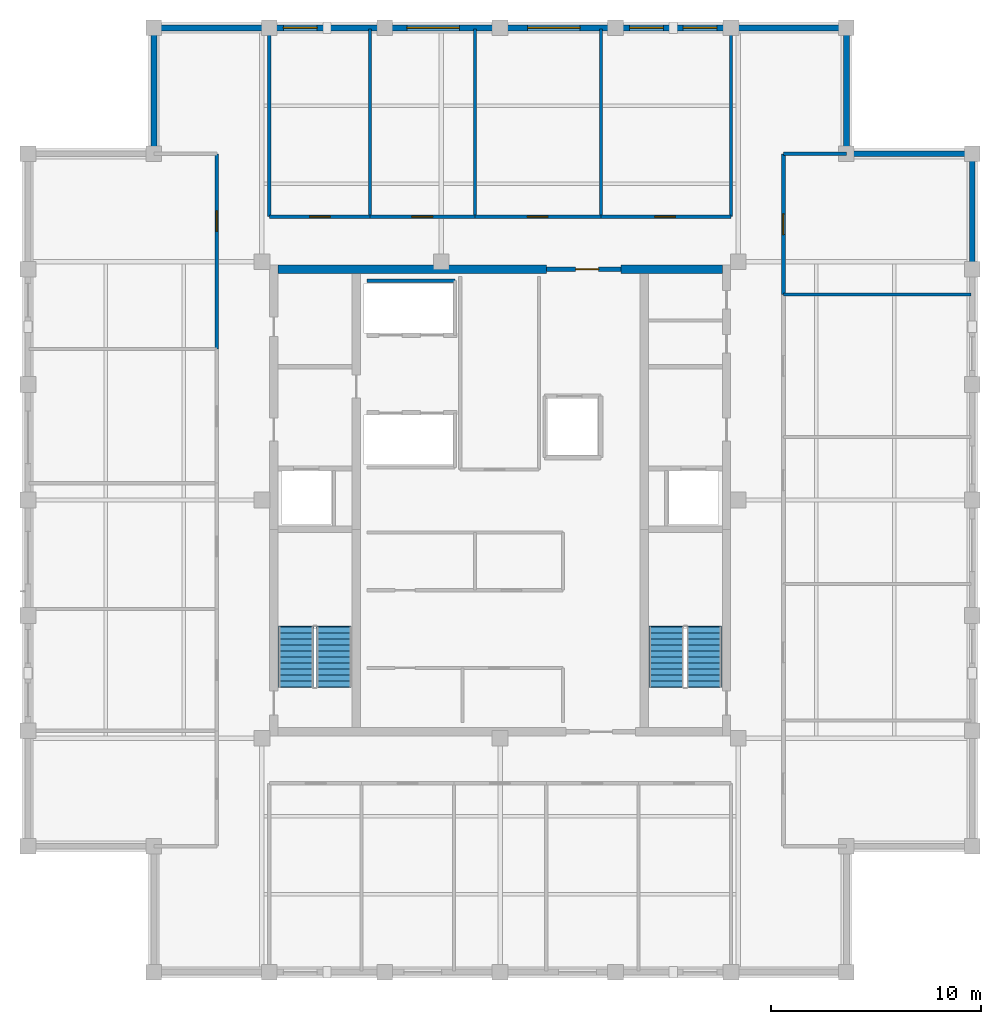
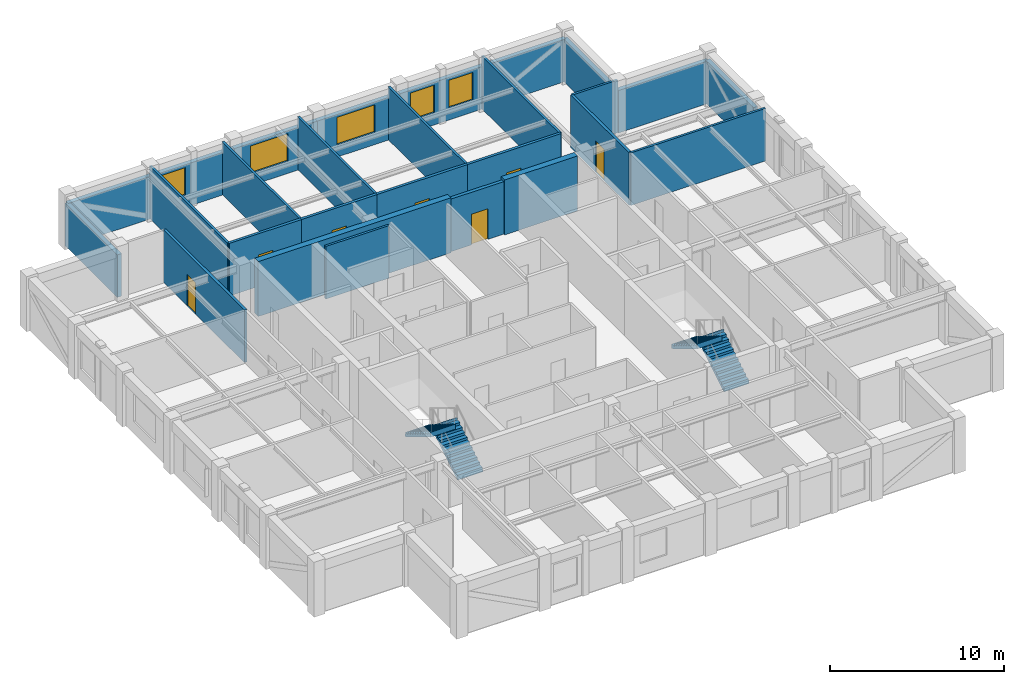
# One storey, part 6 of 7: 27 walls, 7 doors, 5 windows, 4 stair flights, 12 openings, 2 elements without a shape of their own.
"""IFC4 building model written with IfcOpenShell, lengths in metres."""

from ifc_helpers import new_model, si_unit, direction, frame, frame_2d, origin, place, context, subcontext, project, spatial, polyline, rectangle, outline, extrude, material, layer, layer_set, type_object, element, fill, aggregate, save


model = new_model("IFC4")

# Units and contexts
model_context = context("Model", 3, precision=1e-05, world=origin(), true_north=direction((0.0, 1.0)))
body_context = subcontext(model_context, "Body", "Model", "MODEL_VIEW")
ifc_project = project(units=[si_unit("LENGTHUNIT", "METRE"), si_unit("AREAUNIT", "SQUARE_METRE"), si_unit("VOLUMEUNIT", "CUBIC_METRE"), si_unit("PLANEANGLEUNIT", "RADIAN"), si_unit("MASSUNIT", "GRAM", prefix="KILO")], contexts=[model_context])

# Site, building, storey
site_placement = place(None, origin())
site = spatial("IfcSite", under=ifc_project, at=site_placement, CompositionType="ELEMENT")
building_placement = place(site_placement, origin())
building = spatial("IfcBuilding", under=site, at=building_placement, Name="Nhamokura Convention Tower", CompositionType="ELEMENT")
storey_placement = place(building_placement, frame((0.0, 0.0, 285.25)))
storey = spatial("IfcBuildingStorey", under=building, at=storey_placement, Name="L70", CompositionType="ELEMENT", Elevation=285.25)

# Wall
ifc_material_1 = material(Name="Bronze-pigmented precast concrete C45/55", Category="concrete")
ifc_layer_1 = layer(ifc_material_1, 0.280029296875)
ifc_layer_set_1 = layer_set([ifc_layer_1], Name="BronzePrecastSpandrel_280")
wall_type_1 = type_object("IfcWallType", Name="BronzePrecastSpandrel_280", PredefinedType="USERDEFINED", material=ifc_layer_set_1)
wall_1_placement = place(storey_placement, frame((15.5, 54.5, 0.0), z_axis=(0.0, 0.0, 1.0), x_axis=(1.0, 0.0, 0.0)))
element("IfcWall", 1, at=wall_1_placement, inside=storey, type_object=wall_type_1, Name="L70 Braced-Bay Precast Wall NORTH 0", ObjectType="SPANDREL_WALL", PredefinedType="USERDEFINED", context=body_context, shape_type="SweptSolid", body=[
    extrude(rectangle(XDim=5.5, YDim=0.280029296875, at=frame_2d((2.75, 0.0))), origin(), (0.0, 0.0, 1.0), 2.985107421875),
])

# Wall, opening, window
wall_2_placement = place(storey_placement, frame((21.0, 54.5, 0.0), z_axis=(0.0, 0.0, 1.0), x_axis=(1.0, 0.0, 0.0)))
wall_2 = element("IfcWall", 2, at=wall_2_placement, inside=storey, type_object=wall_type_1, Name="L70 Masonry-Frame Wall NORTH 1", ObjectType="SPANDREL_WALL", PredefinedType="USERDEFINED", context=body_context, shape_type="SweptSolid", body=[
    extrude(rectangle(XDim=5.5, YDim=0.280029296875, at=frame_2d((2.75, 0.0))), origin(), (0.0, 0.0, 1.0), 2.985107421875),
])
opening_1_placement = place(wall_2_placement, frame((0.675048828125, 0.0, 0.85009765625)))
opening_1 = element("IfcOpeningElement", 3, at=opening_1_placement, cuts=wall_2, Name="Opening W-11", PredefinedType="OPENING", context=body_context, shape_type="SweptSolid", body=[
    extrude(rectangle(XDim=1.60009765625, YDim=1.93505859375, at=frame_2d((0.800048828125, 0.967529296875))), frame((0.0, 0.14990234375, 0.0), z_axis=(0.0, -1.0, 0.0), x_axis=(1.0, 0.0, 0.0)), (0.0, 0.0, 1.0), 0.300048828125),
])
ifc_material_2 = material(Name="Solar-control bronze low-E double glass", Category="glass")
window_type_1 = type_object("IfcWindowType", Name="NotchCornerWindow_1600", PartitioningType="SINGLE_PANEL", PredefinedType="WINDOW", material=ifc_material_2)
window_1_placement = place(opening_1_placement, origin())
window_1 = element("IfcWindow", 4, at=window_1_placement, inside=storey, type_object=window_type_1, Name="L70 Facade Window NORTH 1-1", OverallHeight=1.93505859375, OverallWidth=1.60009765625, PartitioningType="SINGLE_PANEL", PredefinedType="WINDOW", context=body_context, shape_type="SweptSolid", body=[
    extrude(rectangle(XDim=1.60009765625, YDim=1.93505859375, at=frame_2d((0.800048828125, 0.967529296875))), frame((0.0, 0.030029296875, 0.0), z_axis=(0.0, -1.0, 0.0), x_axis=(1.0, 0.0, 0.0)), (0.0, 0.0, 1.0), 0.06005859375),
])
fill(opening_1, window_1)

wall_3_placement = place(storey_placement, frame((26.5, 54.5, 0.0), z_axis=(0.0, 0.0, 1.0), x_axis=(1.0, 0.0, 0.0)))
wall_3 = element("IfcWall", 5, at=wall_3_placement, inside=storey, type_object=wall_type_1, Name="L70 Masonry-Frame Wall NORTH 2", ObjectType="SPANDREL_WALL", PredefinedType="USERDEFINED", context=body_context, shape_type="SweptSolid", body=[
    extrude(rectangle(XDim=5.5, YDim=0.280029296875, at=frame_2d((2.75, 0.0))), origin(), (0.0, 0.0, 1.0), 2.985107421875),
])
opening_2_placement = place(wall_3_placement, frame((1.0625, 0.0, 0.85009765625)))
opening_2 = element("IfcOpeningElement", 6, at=opening_2_placement, cuts=wall_3, Name="Opening W-09", PredefinedType="OPENING", context=body_context, shape_type="SweptSolid", body=[
    extrude(rectangle(XDim=2.5, YDim=1.93505859375, at=frame_2d((1.25, 0.967529296875))), frame((0.0, 0.14990234375, 0.0), z_axis=(0.0, -1.0, 0.0), x_axis=(1.0, 0.0, 0.0)), (0.0, 0.0, 1.0), 0.300048828125),
])
ifc_material_3 = material(Name="Solar-control bronze low-E double glass", Category="glass")
window_type_2 = type_object("IfcWindowType", Name="SummitWindow_Z4_2500", PartitioningType="DOUBLE_PANEL_VERTICAL", PredefinedType="WINDOW", material=ifc_material_3)
window_2_placement = place(opening_2_placement, origin())
window_2 = element("IfcWindow", 7, at=window_2_placement, inside=storey, type_object=window_type_2, Name="L70 Facade Window NORTH 2-1", OverallHeight=1.93505859375, OverallWidth=2.5, PartitioningType="SINGLE_PANEL", PredefinedType="WINDOW", context=body_context, shape_type="SweptSolid", body=[
    extrude(rectangle(XDim=2.5, YDim=1.93505859375, at=frame_2d((1.25, 0.967529296875))), frame((0.0, 0.030029296875, 0.0), z_axis=(0.0, -1.0, 0.0), x_axis=(1.0, 0.0, 0.0)), (0.0, 0.0, 1.0), 0.06005859375),
])
fill(opening_2, window_2)

wall_4_placement = place(storey_placement, frame((32.0, 54.5, 0.0), z_axis=(0.0, 0.0, 1.0), x_axis=(1.0, 0.0, 0.0)))
wall_4 = element("IfcWall", 8, at=wall_4_placement, inside=storey, type_object=wall_type_1, Name="L70 Masonry-Frame Wall NORTH 3", ObjectType="SPANDREL_WALL", PredefinedType="USERDEFINED", context=body_context, shape_type="SweptSolid", body=[
    extrude(rectangle(XDim=5.5, YDim=0.280029296875, at=frame_2d((2.75, 0.0))), origin(), (0.0, 0.0, 1.0), 2.985107421875),
])
opening_3_placement = place(wall_4_placement, frame((1.3125, 0.0, 0.85009765625)))
opening_3 = element("IfcOpeningElement", 9, at=opening_3_placement, cuts=wall_4, Name="Opening W-09", PredefinedType="OPENING", context=body_context, shape_type="SweptSolid", body=[
    extrude(rectangle(XDim=2.5, YDim=1.93505859375, at=frame_2d((1.25, 0.967529296875))), frame((0.0, 0.14990234375, 0.0), z_axis=(0.0, -1.0, 0.0), x_axis=(1.0, 0.0, 0.0)), (0.0, 0.0, 1.0), 0.300048828125),
])
window_3_placement = place(opening_3_placement, origin())
window_3 = element("IfcWindow", 10, at=window_3_placement, inside=storey, type_object=window_type_2, Name="L70 Facade Window NORTH 3", OverallHeight=1.93505859375, OverallWidth=2.5, PartitioningType="SINGLE_PANEL", PredefinedType="WINDOW", context=body_context, shape_type="SweptSolid", body=[
    extrude(rectangle(XDim=2.5, YDim=1.93505859375, at=frame_2d((1.25, 0.967529296875))), frame((0.0, 0.030029296875, 0.0), z_axis=(0.0, -1.0, 0.0), x_axis=(1.0, 0.0, 0.0)), (0.0, 0.0, 1.0), 0.06005859375),
])
fill(opening_3, window_3)

# Wall, openings, windows
wall_5_placement = place(storey_placement, frame((37.5, 54.5, 0.0), z_axis=(0.0, 0.0, 1.0), x_axis=(1.0, 0.0, 0.0)))
wall_5 = element("IfcWall", 11, at=wall_5_placement, inside=storey, type_object=wall_type_1, Name="L70 Masonry-Frame Wall NORTH 4", ObjectType="SPANDREL_WALL", PredefinedType="USERDEFINED", context=body_context, shape_type="SweptSolid", body=[
    extrude(rectangle(XDim=5.5, YDim=0.280029296875, at=frame_2d((2.75, 0.0))), origin(), (0.0, 0.0, 1.0), 2.985107421875),
])
opening_4_placement = place(wall_5_placement, frame((0.675048828125, 0.0, 0.85009765625)))
opening_4 = element("IfcOpeningElement", 12, at=opening_4_placement, cuts=wall_5, Name="Opening W-11", PredefinedType="OPENING", context=body_context, shape_type="SweptSolid", body=[
    extrude(rectangle(XDim=1.60009765625, YDim=1.93505859375, at=frame_2d((0.800048828125, 0.967529296875))), frame((0.0, 0.14990234375, 0.0), z_axis=(0.0, -1.0, 0.0), x_axis=(1.0, 0.0, 0.0)), (0.0, 0.0, 1.0), 0.300048828125),
])
opening_5_placement = place(wall_5_placement, frame((3.22509765625, 0.0, 0.85009765625)))
opening_5 = element("IfcOpeningElement", 13, at=opening_5_placement, cuts=wall_5, Name="Opening W-11", PredefinedType="OPENING", context=body_context, shape_type="SweptSolid", body=[
    extrude(rectangle(XDim=1.60009765625, YDim=1.93505859375, at=frame_2d((0.800048828125, 0.967529296875))), frame((0.0, 0.14990234375, 0.0), z_axis=(0.0, -1.0, 0.0), x_axis=(1.0, 0.0, 0.0)), (0.0, 0.0, 1.0), 0.300048828125),
])
window_4_placement = place(opening_4_placement, origin())
window_4 = element("IfcWindow", 14, at=window_4_placement, inside=storey, type_object=window_type_1, Name="L70 Facade Window NORTH 4-1", OverallHeight=1.93505859375, OverallWidth=1.60009765625, PartitioningType="SINGLE_PANEL", PredefinedType="WINDOW", context=body_context, shape_type="SweptSolid", body=[
    extrude(rectangle(XDim=1.60009765625, YDim=1.93505859375, at=frame_2d((0.800048828125, 0.967529296875))), frame((0.0, 0.030029296875, 0.0), z_axis=(0.0, -1.0, 0.0), x_axis=(1.0, 0.0, 0.0)), (0.0, 0.0, 1.0), 0.06005859375),
])
fill(opening_4, window_4)
window_5_placement = place(opening_5_placement, origin())
window_5 = element("IfcWindow", 15, at=window_5_placement, inside=storey, type_object=window_type_1, Name="L70 Facade Window NORTH 4-2", OverallHeight=1.93505859375, OverallWidth=1.60009765625, PartitioningType="SINGLE_PANEL", PredefinedType="WINDOW", context=body_context, shape_type="SweptSolid", body=[
    extrude(rectangle(XDim=1.60009765625, YDim=1.93505859375, at=frame_2d((0.800048828125, 0.967529296875))), frame((0.0, 0.030029296875, 0.0), z_axis=(0.0, -1.0, 0.0), x_axis=(1.0, 0.0, 0.0)), (0.0, 0.0, 1.0), 0.06005859375),
])
fill(opening_5, window_5)

# Walls
for number, where, z_axis, x_axis, name in (
    (16, (43.0, 54.5, 0.0), (0.0, 0.0, 1.0), (1.0, 0.0, 0.0), "L70 Braced-Bay Precast Wall NORTH 5"),
    (17, (54.5, 48.5, 0.0), (0.0, 0.0, 1.0), (0.0, -1.0, 0.0), "L70 Braced-Bay Precast Wall EAST 5"),
):
    element("IfcWall", number, at=place(storey_placement, frame(where, z_axis=z_axis, x_axis=x_axis)), inside=storey, type_object=wall_type_1, Name=name, ObjectType="SPANDREL_WALL", PredefinedType="USERDEFINED", context=body_context, shape_type="SweptSolid", body=[
        extrude(rectangle(XDim=5.5, YDim=0.280029296875, at=frame_2d((2.75, 0.0))), origin(), (0.0, 0.0, 1.0), 2.985107421875),
    ])
for number, where, z_axis, x_axis, name in (
    (18, (48.5, 48.5, 0.0), (0.0, 0.0, 1.0), (1.0, 0.0, 0.0), "L70 Notched Corner Wall NE1"),
    (19, (48.5, 54.5, 0.0), (0.0, 0.0, 1.0), (0.0, -1.0, 0.0), "L70 Notched Corner Wall NE2"),
    (20, (15.5, 48.5, 0.0), (0.0, 0.0, 1.0), (0.0, 1.0, 0.0), "L70 Notched Corner Wall NW1"),
):
    element("IfcWall", number, at=place(storey_placement, frame(where, z_axis=z_axis, x_axis=x_axis)), inside=storey, type_object=wall_type_1, Name=name, ObjectType="SPANDREL_WALL", PredefinedType="USERDEFINED", context=body_context, shape_type="SweptSolid", body=[
        extrude(rectangle(XDim=6.0, YDim=0.280029296875, at=frame_2d((3.0, 0.0))), origin(), (0.0, 0.0, 1.0), 2.985107421875),
    ])
ifc_material_4 = material(Name="Concrete C50/60", Category="concrete")
ifc_layer_2 = layer(ifc_material_4, 0.39990234375)
ifc_layer_set_2 = layer_set([ifc_layer_2], Name="CoreShearWall_400")
wall_type_2 = type_object("IfcWallType", Name="CoreShearWall_400", PredefinedType="SHEAR", material=ifc_layer_set_2)
wall_6_placement = place(storey_placement, frame((21.409912109375, 43.0, 0.0), z_axis=(0.0, 0.0, 1.0), x_axis=(1.0, 0.0, 0.0)))
element("IfcWall", 21, at=wall_6_placement, inside=storey, type_object=wall_type_2, Name="L70 Core Shear Wall CW-N1", PredefinedType="SHEAR", context=body_context, shape_type="SweptSolid", body=[
    extrude(rectangle(XDim=12.7900390625, YDim=0.39990234375, at=frame_2d((6.39501953125, 0.0))), origin(), (0.0, 0.0, 1.0), 3.85009765625),
])
wall_7_placement = place(storey_placement, frame((37.75, 43.0, 0.0), z_axis=(0.0, 0.0, 1.0), x_axis=(1.0, 0.0, 0.0)))
element("IfcWall", 22, at=wall_7_placement, inside=storey, type_object=wall_type_2, Name="L70 Core Shear Wall CW-N2", PredefinedType="SHEAR", context=body_context, shape_type="SweptSolid", body=[
    extrude(rectangle(XDim=4.840087890625, YDim=0.39990234375, at=frame_2d((2.419921875, 0.0))), origin(), (0.0, 0.0, 1.0), 3.85009765625),
])

# Wall, opening, door
ifc_material_5 = material(Name="Fire-rated gypsum and masonry partition", Category="masonry")
ifc_layer_3 = layer(ifc_material_5, 0.179931640625)
ifc_layer_set_3 = layer_set([ifc_layer_3], Name="CorridorRatedWall_180")
wall_type_3 = type_object("IfcWallType", Name="CorridorRatedWall_180", PredefinedType="STANDARD", material=ifc_layer_set_3)
wall_8_placement = place(storey_placement, frame((21.0, 45.5, 0.0), z_axis=(0.0, 0.0, 1.0), x_axis=(1.0, 0.0, 0.0)))
wall_8 = element("IfcWall", 23, at=wall_8_placement, inside=storey, type_object=wall_type_3, Name="L70 Wall INT-L70-CW-N00", PredefinedType="STANDARD", context=body_context, shape_type="SweptSolid", body=[
    extrude(rectangle(XDim=4.800048828125, YDim=0.179931640625, at=frame_2d((2.39990234375, 0.0))), origin(), (0.0, 0.0, 1.0), 3.68505859375),
])
opening_6_placement = place(wall_8_placement, frame((1.925048828125, 0.0, 0.0)))
opening_6 = element("IfcOpeningElement", 24, at=opening_6_placement, cuts=wall_8, Name="Opening D-08", PredefinedType="OPENING", context=body_context, shape_type="SweptSolid", body=[
    extrude(rectangle(XDim=0.97998046875, YDim=2.199951171875, at=frame_2d((0.489990234375, 1.10009765625))), frame((0.0, 0.099853515625, 0.0), z_axis=(0.0, -1.0, 0.0), x_axis=(1.0, 0.0, 0.0)), (0.0, 0.0, 1.0), 0.199951171875),
])
ifc_material_6 = material(Name="Solid oak hardwood", Category="wood")
door_type_1 = type_object("IfcDoorType", Name="OfficeEntryDoor_980", OperationType="NOTDEFINED", PredefinedType="DOOR", material=ifc_material_6)
door_1_placement = place(opening_6_placement, origin())
door_1 = element("IfcDoor", 25, at=door_1_placement, inside=storey, type_object=door_type_1, Name="L70 Research Library N01 Door", OperationType="SINGLE_SWING_LEFT", OverallHeight=2.199951171875, OverallWidth=0.97998046875, PredefinedType="DOOR", context=body_context, shape_type="SweptSolid", body=[
    extrude(rectangle(XDim=0.97998046875, YDim=2.199951171875, at=frame_2d((0.489990234375, 1.10009765625))), frame((0.0, 0.02490234375, 0.0), z_axis=(0.0, -1.0, 0.0), x_axis=(1.0, 0.0, 0.0)), (0.0, 0.0, 1.0), 0.050048828125),
])
fill(opening_6, door_1)

wall_9_placement = place(storey_placement, frame((25.800048828125, 45.5, 0.0), z_axis=(0.0, 0.0, 1.0), x_axis=(1.0, 0.0, 0.0)))
wall_9 = element("IfcWall", 26, at=wall_9_placement, inside=storey, type_object=wall_type_3, Name="L70 Wall INT-L70-CW-N01", PredefinedType="STANDARD", context=body_context, shape_type="SweptSolid", body=[
    extrude(rectangle(XDim=5.0, YDim=0.179931640625, at=frame_2d((2.5, 0.0))), origin(), (0.0, 0.0, 1.0), 3.68505859375),
])
opening_7_placement = place(wall_9_placement, frame((2.0, 0.0, 0.0)))
opening_7 = element("IfcOpeningElement", 27, at=opening_7_placement, cuts=wall_9, Name="Opening D-08", PredefinedType="OPENING", context=body_context, shape_type="SweptSolid", body=[
    extrude(rectangle(XDim=0.97998046875, YDim=2.199951171875, at=frame_2d((0.489990234375, 1.10009765625))), frame((0.0, 0.099853515625, 0.0), z_axis=(0.0, -1.0, 0.0), x_axis=(1.0, 0.0, 0.0)), (0.0, 0.0, 1.0), 0.199951171875),
])
door_2_placement = place(opening_7_placement, origin())
door_2 = element("IfcDoor", 28, at=door_2_placement, inside=storey, type_object=door_type_1, Name="L70 Research Library N02 Door", OperationType="SINGLE_SWING_RIGHT", OverallHeight=2.199951171875, OverallWidth=0.97998046875, PredefinedType="DOOR", context=body_context, shape_type="SweptSolid", body=[
    extrude(rectangle(XDim=0.97998046875, YDim=2.199951171875, at=frame_2d((0.489990234375, 1.10009765625))), frame((0.0, 0.02490234375, 0.0), z_axis=(0.0, -1.0, 0.0), x_axis=(1.0, 0.0, 0.0)), (0.0, 0.0, 1.0), 0.050048828125),
])
fill(opening_7, door_2)

wall_10_placement = place(storey_placement, frame((30.800048828125, 45.5, 0.0), z_axis=(0.0, 0.0, 1.0), x_axis=(1.0, 0.0, 0.0)))
wall_10 = element("IfcWall", 29, at=wall_10_placement, inside=storey, type_object=wall_type_3, Name="L70 Wall INT-L70-CW-N02", PredefinedType="STANDARD", context=body_context, shape_type="SweptSolid", body=[
    extrude(rectangle(XDim=6.0, YDim=0.179931640625, at=frame_2d((3.0, 0.0))), origin(), (0.0, 0.0, 1.0), 3.68505859375),
])
opening_8_placement = place(wall_10_placement, frame((2.5, 0.0, 0.0)))
opening_8 = element("IfcOpeningElement", 30, at=opening_8_placement, cuts=wall_10, Name="Opening D-08", PredefinedType="OPENING", context=body_context, shape_type="SweptSolid", body=[
    extrude(rectangle(XDim=0.97998046875, YDim=2.199951171875, at=frame_2d((0.489990234375, 1.10009765625))), frame((0.0, 0.099853515625, 0.0), z_axis=(0.0, -1.0, 0.0), x_axis=(1.0, 0.0, 0.0)), (0.0, 0.0, 1.0), 0.199951171875),
])
door_3_placement = place(opening_8_placement, origin())
door_3 = element("IfcDoor", 31, at=door_3_placement, inside=storey, type_object=door_type_1, Name="L70 Research Library N03 Door", OperationType="SINGLE_SWING_LEFT", OverallHeight=2.199951171875, OverallWidth=0.97998046875, PredefinedType="DOOR", context=body_context, shape_type="SweptSolid", body=[
    extrude(rectangle(XDim=0.97998046875, YDim=2.199951171875, at=frame_2d((0.489990234375, 1.10009765625))), frame((0.0, 0.02490234375, 0.0), z_axis=(0.0, -1.0, 0.0), x_axis=(1.0, 0.0, 0.0)), (0.0, 0.0, 1.0), 0.050048828125),
])
fill(opening_8, door_3)

wall_11_placement = place(storey_placement, frame((36.800048828125, 45.5, 0.0), z_axis=(0.0, 0.0, 1.0), x_axis=(1.0, 0.0, 0.0)))
wall_11 = element("IfcWall", 32, at=wall_11_placement, inside=storey, type_object=wall_type_3, Name="L70 Wall INT-L70-CW-N03", PredefinedType="STANDARD", context=body_context, shape_type="SweptSolid", body=[
    extrude(rectangle(XDim=6.199951171875, YDim=0.179931640625, at=frame_2d((3.10009765625, 0.0))), origin(), (0.0, 0.0, 1.0), 3.68505859375),
])
opening_9_placement = place(wall_11_placement, frame((2.574951171875, 0.0, 0.0)))
opening_9 = element("IfcOpeningElement", 33, at=opening_9_placement, cuts=wall_11, Name="Opening D-08", PredefinedType="OPENING", context=body_context, shape_type="SweptSolid", body=[
    extrude(rectangle(XDim=0.97998046875, YDim=2.199951171875, at=frame_2d((0.489990234375, 1.10009765625))), frame((0.0, 0.099853515625, 0.0), z_axis=(0.0, -1.0, 0.0), x_axis=(1.0, 0.0, 0.0)), (0.0, 0.0, 1.0), 0.199951171875),
])
door_4_placement = place(opening_9_placement, origin())
door_4 = element("IfcDoor", 34, at=door_4_placement, inside=storey, type_object=door_type_1, Name="L70 Research Library N04 Door", OperationType="SINGLE_SWING_RIGHT", OverallHeight=2.199951171875, OverallWidth=0.97998046875, PredefinedType="DOOR", context=body_context, shape_type="SweptSolid", body=[
    extrude(rectangle(XDim=0.97998046875, YDim=2.199951171875, at=frame_2d((0.489990234375, 1.10009765625))), frame((0.0, 0.02490234375, 0.0), z_axis=(0.0, -1.0, 0.0), x_axis=(1.0, 0.0, 0.0)), (0.0, 0.0, 1.0), 0.050048828125),
])
fill(opening_9, door_4)

wall_12_placement = place(storey_placement, frame((18.5, 39.199951171875, 0.0), z_axis=(0.0, 0.0, 1.0), x_axis=(0.0, 1.0, 0.0)))
wall_12 = element("IfcWall", 35, at=wall_12_placement, inside=storey, type_object=wall_type_3, Name="L70 Wall INT-L70-CW-W04", PredefinedType="STANDARD", context=body_context, shape_type="SweptSolid", body=[
    extrude(rectangle(XDim=9.300048828125, YDim=0.179931640625, at=frame_2d((4.64990234375, 0.0))), origin(), (0.0, 0.0, 1.0), 3.68505859375),
])
opening_10_placement = place(wall_12_placement, frame((5.60009765625, 0.0, 0.0)))
opening_10 = element("IfcOpeningElement", 36, at=opening_10_placement, cuts=wall_12, Name="Opening D-08", PredefinedType="OPENING", context=body_context, shape_type="SweptSolid", body=[
    extrude(rectangle(XDim=0.97998046875, YDim=2.199951171875, at=frame_2d((0.489990234375, 1.10009765625))), frame((0.0, 0.099853515625, 0.0), z_axis=(0.0, -1.0, 0.0), x_axis=(1.0, 0.0, 0.0)), (0.0, 0.0, 1.0), 0.199951171875),
])
door_5_placement = place(opening_10_placement, origin())
door_5 = element("IfcDoor", 37, at=door_5_placement, inside=storey, type_object=door_type_1, Name="L70 Private Office W05 Door", OperationType="SINGLE_SWING_LEFT", OverallHeight=2.199951171875, OverallWidth=0.97998046875, PredefinedType="DOOR", context=body_context, shape_type="SweptSolid", body=[
    extrude(rectangle(XDim=0.97998046875, YDim=2.199951171875, at=frame_2d((0.489990234375, 1.10009765625))), frame((0.0, 0.02490234375, 0.0), z_axis=(0.0, -1.0, 0.0), x_axis=(1.0, 0.0, 0.0)), (0.0, 0.0, 1.0), 0.050048828125),
])
fill(opening_10, door_5)

wall_13_placement = place(storey_placement, frame((45.5, 41.800048828125, 0.0), z_axis=(0.0, 0.0, 1.0), x_axis=(0.0, 1.0, 0.0)))
wall_13 = element("IfcWall", 38, at=wall_13_placement, inside=storey, type_object=wall_type_3, Name="L70 Wall INT-L70-CW-E04", PredefinedType="STANDARD", context=body_context, shape_type="SweptSolid", body=[
    extrude(rectangle(XDim=6.699951171875, YDim=0.179931640625, at=frame_2d((3.35009765625, 0.0))), origin(), (0.0, 0.0, 1.0), 3.68505859375),
])
opening_11_placement = place(wall_13_placement, frame((2.85009765625, 0.0, 0.0)))
opening_11 = element("IfcOpeningElement", 39, at=opening_11_placement, cuts=wall_13, Name="Opening D-08", PredefinedType="OPENING", context=body_context, shape_type="SweptSolid", body=[
    extrude(rectangle(XDim=0.97998046875, YDim=2.199951171875, at=frame_2d((0.489990234375, 1.10009765625))), frame((0.0, 0.099853515625, 0.0), z_axis=(0.0, -1.0, 0.0), x_axis=(1.0, 0.0, 0.0)), (0.0, 0.0, 1.0), 0.199951171875),
])
door_6_placement = place(opening_11_placement, origin())
door_6 = element("IfcDoor", 40, at=door_6_placement, inside=storey, type_object=door_type_1, Name="L70 Reading Lounge E05 Door", OperationType="SINGLE_SWING_LEFT", OverallHeight=2.199951171875, OverallWidth=0.97998046875, PredefinedType="DOOR", context=body_context, shape_type="SweptSolid", body=[
    extrude(rectangle(XDim=0.97998046875, YDim=2.199951171875, at=frame_2d((0.489990234375, 1.10009765625))), frame((0.0, 0.02490234375, 0.0), z_axis=(0.0, -1.0, 0.0), x_axis=(1.0, 0.0, 0.0)), (0.0, 0.0, 1.0), 0.050048828125),
])
fill(opening_11, door_6)

ifc_material_7 = material(Name="Autoclaved concrete blockwork", Category="masonry")
ifc_layer_4 = layer(ifc_material_7, 0.219970703125)
ifc_layer_set_4 = layer_set([ifc_layer_4], Name="FireLobbyWall_220")
wall_type_4 = type_object("IfcWallType", Name="FireLobbyWall_220", PredefinedType="STANDARD", material=ifc_layer_set_4)
wall_14_placement = place(storey_placement, frame((34.199951171875, 43.0, 0.0), z_axis=(0.0, 0.0, 1.0), x_axis=(1.0, 0.0, 0.0)))
wall_14 = element("IfcWall", 41, at=wall_14_placement, inside=storey, type_object=wall_type_4, Name="L70 Wall INT-L70-CPORT-N", PredefinedType="STANDARD", context=body_context, shape_type="SweptSolid", body=[
    extrude(rectangle(XDim=3.550048828125, YDim=0.219970703125, at=frame_2d((1.77490234375, 0.0))), origin(), (0.0, 0.0, 1.0), 3.68505859375),
])
opening_12_placement = place(wall_14_placement, frame((1.39990234375, 0.0, 0.0)))
opening_12 = element("IfcOpeningElement", 42, at=opening_12_placement, cuts=wall_14, Name="Opening D-05", PredefinedType="OPENING", context=body_context, shape_type="SweptSolid", body=[
    extrude(rectangle(XDim=1.10009765625, YDim=2.14990234375, at=frame_2d((0.550048828125, 1.074951171875))), frame((0.0, 0.119873046875, 0.0), z_axis=(0.0, -1.0, 0.0), x_axis=(1.0, 0.0, 0.0)), (0.0, 0.0, 1.0), 0.239990234375),
])
ifc_material_8 = material(Name="Fire-rated steel door", Category="steel")
door_type_2 = type_object("IfcDoorType", Name="FireLobbyDoor_1100", OperationType="NOTDEFINED", PredefinedType="DOOR", material=ifc_material_8)
door_7_placement = place(opening_12_placement, origin())
door_7 = element("IfcDoor", 43, at=door_7_placement, inside=storey, type_object=door_type_2, Name="L70 North Core Lobby Portal Door", OperationType="SINGLE_SWING_RIGHT", OverallHeight=2.14990234375, OverallWidth=1.10009765625, PredefinedType="DOOR", context=body_context, shape_type="SweptSolid", body=[
    extrude(rectangle(XDim=1.10009765625, YDim=2.14990234375, at=frame_2d((0.550048828125, 1.074951171875))), frame((0.0, 0.02490234375, 0.0), z_axis=(0.0, -1.0, 0.0), x_axis=(1.0, 0.0, 0.0)), (0.0, 0.0, 1.0), 0.050048828125),
])
fill(opening_12, door_7)

# Walls
ifc_material_9 = material(Name="Acoustic gypsum stud partition", Category="masonry")
ifc_layer_5 = layer(ifc_material_9, 0.14990234375)
ifc_layer_set_5 = layer_set([ifc_layer_5], Name="InteriorPartition_150")
wall_type_5 = type_object("IfcWallType", Name="InteriorPartition_150", PredefinedType="STANDARD", material=ifc_layer_set_5)
wall_15_placement = place(storey_placement, frame((25.64990234375, 42.449951171875, 0.0), z_axis=(0.0, 0.0, 1.0), x_axis=(1.0, 0.0, 0.0)))
element("IfcWall", 44, at=wall_15_placement, inside=storey, type_object=wall_type_5, Name="L70 Wall INT-L70-B3B-N", PredefinedType="STANDARD", context=body_context, shape_type="SweptSolid", body=[
    extrude(rectangle(XDim=4.2001953125, YDim=0.14990234375, at=frame_2d((2.10009765625, 0.0))), origin(), (0.0, 0.0, 1.0), 3.68505859375),
])
for number, where, z_axis, x_axis, name in (
    (45, (21.0, 45.5, 0.0), (0.0, 0.0, 1.0), (0.0, 1.0, 0.0), "L70 Wall INT-L70-RWL-N"),
    (46, (43.0, 45.5, 0.0), (0.0, 0.0, 1.0), (0.0, 1.0, 0.0), "L70 Wall INT-L70-RWR-N"),
    (47, (25.800048828125, 45.5, 0.0), (0.0, 0.0, 1.0), (0.0, 1.0, 0.0), "L70 Wall INT-L70-RW-N01"),
    (48, (30.800048828125, 45.5, 0.0), (0.0, 0.0, 1.0), (0.0, 1.0, 0.0), "L70 Wall INT-L70-RW-N02"),
    (49, (36.800048828125, 45.5, 0.0), (0.0, 0.0, 1.0), (0.0, 1.0, 0.0), "L70 Wall INT-L70-RW-N03"),
    (50, (45.5, 41.800048828125, 0.0), (0.0, 0.0, 1.0), (1.0, 0.0, 0.0), "L70 Wall INT-L70-RW-E04"),
):
    element("IfcWall", number, at=place(storey_placement, frame(where, z_axis=z_axis, x_axis=x_axis)), inside=storey, type_object=wall_type_5, Name=name, PredefinedType="STANDARD", context=body_context, shape_type="SweptSolid", body=[
        extrude(rectangle(XDim=8.93994140625, YDim=0.14990234375, at=frame_2d((4.469970703125, 0.0))), origin(), (0.0, 0.0, 1.0), 3.68505859375),
    ])
wall_16_placement = place(storey_placement, frame((45.5, 48.5, 0.0), z_axis=(0.0, 0.0, 1.0), x_axis=(1.0, 0.0, 0.0)))
element("IfcWall", 51, at=wall_16_placement, inside=storey, type_object=wall_type_5, Name="L70 Wall INT-L70-VSTP-EN", PredefinedType="STANDARD", context=body_context, shape_type="SweptSolid", body=[
    extrude(rectangle(XDim=3.0, YDim=0.14990234375, at=frame_2d((1.5, 0.0))), origin(), (0.0, 0.0, 1.0), 3.68505859375),
])

# Stair, stair flights
ifc_material_10 = material(Name="Concrete C40/50", Category="concrete")
stair_type = type_object("IfcStairType", Name="TowerCoreStair_1650", PredefinedType="HALF_TURN_STAIR", material=ifc_material_10)
stair_1_placement = place(storey_placement, origin())
stair_1 = element("IfcStair", 52, at=stair_1_placement, inside=storey, type_object=stair_type, Name="L70 West Core Smokeproof Stair ST-01", PredefinedType="HALF_TURN_STAIR")
ifc_material_11 = material(Name="Concrete C40/50", Category="concrete")
stair_flight_type = type_object("IfcStairFlightType", Name="TowerCoreStair_1650_Flight", PredefinedType="STRAIGHT", material=ifc_material_11)
stair_flight_1_placement = place(storey_placement, frame((24.074951171875, 23.10009765625, 0.0), z_axis=(0.0, 0.0, 1.0), x_axis=(0.0, 1.0, 0.0)))
stair_flight_1 = element("IfcStairFlight", 53, at=stair_flight_1_placement, type_object=stair_flight_type, Name="ST-01 flight 1", NumberOfRisers=11, NumberOfTreads=10, PredefinedType="STRAIGHT", RiserHeight=0.175, TreadLength=0.285, context=body_context, shape_type="SweptSolid", body=[
    extrude(outline(polyline([(-0.0419921875, 0.0), (0.0, 0.175048828125), (0.284912109375, 0.175048828125), (0.284912109375, 0.35009765625), (0.570068359375, 0.35009765625), (0.570068359375, 0.52490234375), (0.85498046875, 0.52490234375), (0.85498046875, 0.699951171875), (1.139892578125, 0.699951171875), (1.139892578125, 0.875), (1.425048828125, 0.875), (1.425048828125, 1.050048828125), (1.7099609375, 1.050048828125), (1.7099609375, 1.22509765625), (1.9951171875, 1.22509765625), (1.9951171875, 1.39990234375), (2.280029296875, 1.39990234375), (2.280029296875, 1.574951171875), (2.56494140625, 1.574951171875), (2.56494140625, 1.75), (2.85009765625, 1.75), (2.85009765625, 1.925048828125), (2.89208984375, 1.925048828125), (2.89208984375, 1.573974609375), (2.85009765625, 1.573974609375), (0.286376953125, 0.0), (0.02001953125, -0.1298828125), (-0.0419921875, -0.1298828125), (-0.0419921875, 0.0)])), frame((0.0, 0.824951171875, 0.0), z_axis=(0.0, -1.0, 0.0), x_axis=(1.0, 0.0, 0.0)), (0.0, 0.0, 1.0), 1.64990234375),
])
stair_flight_2_placement = place(storey_placement, frame((22.27490234375, 25.949951171875, 1.925048828125), z_axis=(0.0, 0.0, 1.0), x_axis=(0.0, -1.0, 0.0)))
stair_flight_2 = element("IfcStairFlight", 54, at=stair_flight_2_placement, type_object=stair_flight_type, Name="ST-01 flight 2", NumberOfRisers=11, NumberOfTreads=10, PredefinedType="STRAIGHT", RiserHeight=0.175, TreadLength=0.285, context=body_context, shape_type="SweptSolid", body=[
    extrude(outline(polyline([(-0.0419921875, 0.0), (0.0, 0.175048828125), (0.284912109375, 0.175048828125), (0.284912109375, 0.35009765625), (0.570068359375, 0.35009765625), (0.570068359375, 0.52490234375), (0.85498046875, 0.52490234375), (0.85498046875, 0.699951171875), (1.139892578125, 0.699951171875), (1.139892578125, 0.875), (1.425048828125, 0.875), (1.425048828125, 1.050048828125), (1.7099609375, 1.050048828125), (1.7099609375, 1.22509765625), (1.9951171875, 1.22509765625), (1.9951171875, 1.39990234375), (2.280029296875, 1.39990234375), (2.280029296875, 1.574951171875), (2.56494140625, 1.574951171875), (2.56494140625, 1.75), (2.85009765625, 1.75), (2.85009765625, 1.925048828125), (2.89208984375, 1.925048828125), (2.89208984375, 1.573974609375), (2.85009765625, 1.573974609375), (0.286376953125, 0.0), (0.02001953125, -0.1298828125), (-0.0419921875, -0.1298828125), (-0.0419921875, 0.0)])), frame((0.0, 0.824951171875, 0.0), z_axis=(0.0, -1.0, 0.0), x_axis=(1.0, 0.0, 0.0)), (0.0, 0.0, 1.0), 1.64990234375),
])
aggregate(stair_1, [stair_flight_1, stair_flight_2])

stair_2_placement = place(storey_placement, origin())
stair_2 = element("IfcStair", 55, at=stair_2_placement, inside=storey, type_object=stair_type, Name="L70 East Core Smokeproof Stair ST-02", PredefinedType="HALF_TURN_STAIR")
stair_flight_3_placement = place(storey_placement, frame((41.72509765625, 23.10009765625, 0.0), z_axis=(0.0, 0.0, 1.0), x_axis=(0.0, 1.0, 0.0)))
stair_flight_3 = element("IfcStairFlight", 56, at=stair_flight_3_placement, type_object=stair_flight_type, Name="ST-02 flight 1", NumberOfRisers=11, NumberOfTreads=10, PredefinedType="STRAIGHT", RiserHeight=0.175, TreadLength=0.285, context=body_context, shape_type="SweptSolid", body=[
    extrude(outline(polyline([(-0.0419921875, 0.0), (0.0, 0.175048828125), (0.284912109375, 0.175048828125), (0.284912109375, 0.35009765625), (0.570068359375, 0.35009765625), (0.570068359375, 0.52490234375), (0.85498046875, 0.52490234375), (0.85498046875, 0.699951171875), (1.139892578125, 0.699951171875), (1.139892578125, 0.875), (1.425048828125, 0.875), (1.425048828125, 1.050048828125), (1.7099609375, 1.050048828125), (1.7099609375, 1.22509765625), (1.9951171875, 1.22509765625), (1.9951171875, 1.39990234375), (2.280029296875, 1.39990234375), (2.280029296875, 1.574951171875), (2.56494140625, 1.574951171875), (2.56494140625, 1.75), (2.85009765625, 1.75), (2.85009765625, 1.925048828125), (2.89208984375, 1.925048828125), (2.89208984375, 1.573974609375), (2.85009765625, 1.573974609375), (0.286376953125, 0.0), (0.02001953125, -0.1298828125), (-0.0419921875, -0.1298828125), (-0.0419921875, 0.0)])), frame((0.0, 0.824951171875, 0.0), z_axis=(0.0, -1.0, 0.0), x_axis=(1.0, 0.0, 0.0)), (0.0, 0.0, 1.0), 1.64990234375),
])
stair_flight_4_placement = place(storey_placement, frame((39.925048828125, 25.949951171875, 1.925048828125), z_axis=(0.0, 0.0, 1.0), x_axis=(0.0, -1.0, 0.0)))
stair_flight_4 = element("IfcStairFlight", 57, at=stair_flight_4_placement, type_object=stair_flight_type, Name="ST-02 flight 2", NumberOfRisers=11, NumberOfTreads=10, PredefinedType="STRAIGHT", RiserHeight=0.175, TreadLength=0.285, context=body_context, shape_type="SweptSolid", body=[
    extrude(outline(polyline([(-0.0419921875, 0.0), (0.0, 0.175048828125), (0.284912109375, 0.175048828125), (0.284912109375, 0.35009765625), (0.570068359375, 0.35009765625), (0.570068359375, 0.52490234375), (0.85498046875, 0.52490234375), (0.85498046875, 0.699951171875), (1.139892578125, 0.699951171875), (1.139892578125, 0.875), (1.425048828125, 0.875), (1.425048828125, 1.050048828125), (1.7099609375, 1.050048828125), (1.7099609375, 1.22509765625), (1.9951171875, 1.22509765625), (1.9951171875, 1.39990234375), (2.280029296875, 1.39990234375), (2.280029296875, 1.574951171875), (2.56494140625, 1.574951171875), (2.56494140625, 1.75), (2.85009765625, 1.75), (2.85009765625, 1.925048828125), (2.89208984375, 1.925048828125), (2.89208984375, 1.573974609375), (2.85009765625, 1.573974609375), (0.286376953125, 0.0), (0.02001953125, -0.1298828125), (-0.0419921875, -0.1298828125), (-0.0419921875, 0.0)])), frame((0.0, 0.824951171875, 0.0), z_axis=(0.0, -1.0, 0.0), x_axis=(1.0, 0.0, 0.0)), (0.0, 0.0, 1.0), 1.64990234375),
])
aggregate(stair_2, [stair_flight_3, stair_flight_4])

save(model, "model.ifc")
